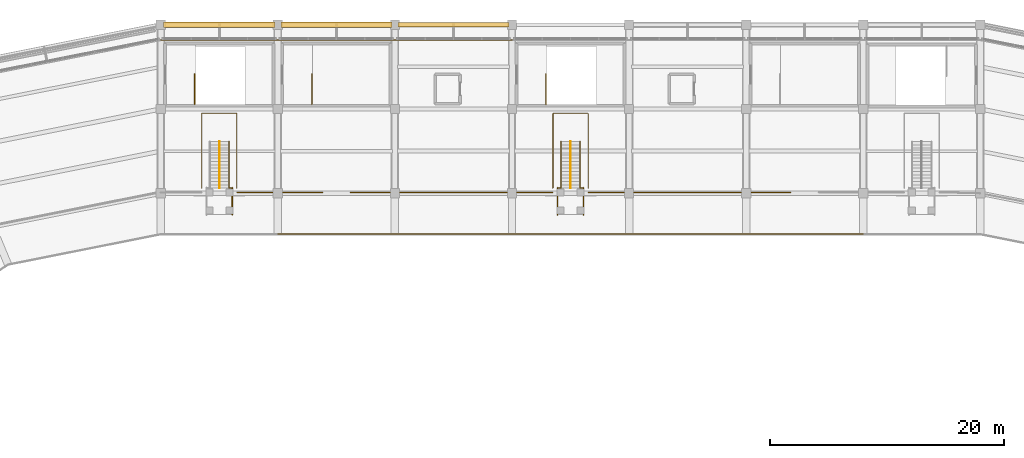
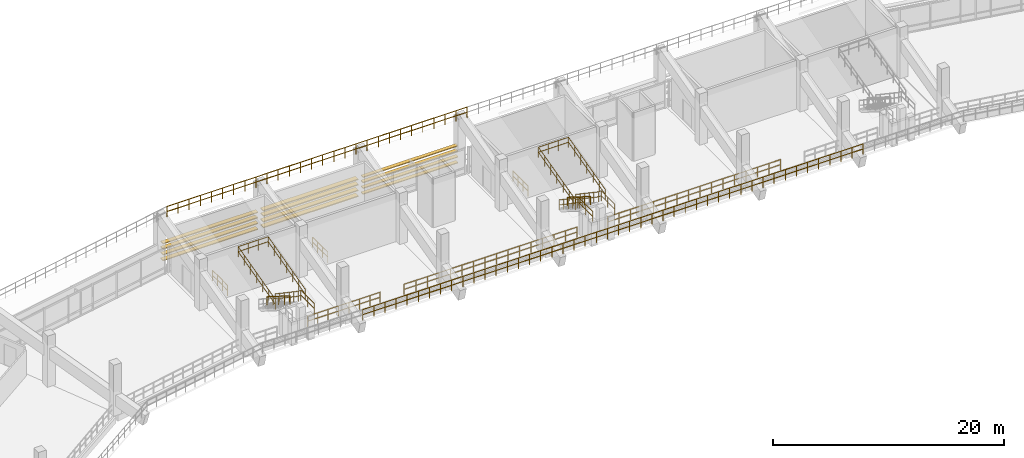
# One storey, part 94 of 96: 21 railings, 12 shading devices.
"""IFC4 building model written with IfcOpenShell, lengths in metres."""

import ifcopenshell
import ifcopenshell.guid

model = None  # the IFC model being written
_history = None  # IfcOwnerHistory: only IFC2X3 demands one
_inside = {}  # id of a spatial element -> (the spatial element, [elements in it])
_under = {}  # id of a project, library or spatial element -> (it, [spatial elements below it])
_declared = {}  # id of a project -> (the project, [libraries it declares])
_typed = {}  # id of a type object -> (the type object, [elements of that type])
_made_of = {}  # id of a material, layer set ... -> (it, [elements and type objects made of it])


def new_model(schema):
    """Start an empty IFC model of exactly this schema.

    Asked for "IFC4X3", IfcOpenShell would pick the latest addendum, in which some entities
    have other attributes; the version numbers below select the first issue.
    IFC2X3 requires an IfcOwnerHistory on every rooted entity: one is made here for all.
    """
    global model, _history
    if schema == "IFC4X3":
        model = ifcopenshell.file(schema_version=(4, 3, 0, 0))
    else:
        model = ifcopenshell.file(schema=schema)
    _inside.clear()
    _under.clear()
    _declared.clear()
    _typed.clear()
    _made_of.clear()
    _history = None
    if model.schema == "IFC2X3":
        org = make("IfcOrganization", Name="unknown")
        user = make(
            "IfcPersonAndOrganization",
            ThePerson=make("IfcPerson", FamilyName="unknown"),
            TheOrganization=org,
        )
        app = make(
            "IfcApplication",
            ApplicationDeveloper=org,
            Version="unknown",
            ApplicationFullName="unknown",
            ApplicationIdentifier="unknown",
        )
        _history = make(
            "IfcOwnerHistory",
            OwningUser=user,
            OwningApplication=app,
            ChangeAction="ADDED",
            CreationDate=0,
        )
    return model


def make(cls, **values):
    """One entity of the class cls with the attributes given. An attribute that is None is left unset."""
    return model.create_entity(
        cls, **{name: value for name, value in values.items() if value is not None}
    )


def rooted(cls, **values):
    """An entity with a GlobalId (a new one), such as an element, a storey or a relation."""
    return make(cls, GlobalId=ifcopenshell.guid.new(), OwnerHistory=_history, **values)


def si_unit(unit_type, name, prefix=None):
    """IfcSIUnit, for example si_unit("LENGTHUNIT", "METRE", prefix="MILLI")."""
    return make("IfcSIUnit", UnitType=unit_type, Prefix=prefix, Name=name)


def assignment(units):
    """IfcUnitAssignment: the units of a project."""
    return None if units is None else make("IfcUnitAssignment", Units=units)


def point(xyz):
    """IfcCartesianPoint."""
    return None if xyz is None else make("IfcCartesianPoint", Coordinates=xyz)


def direction(xyz):
    """IfcDirection."""
    return None if xyz is None else make("IfcDirection", DirectionRatios=xyz)


def frame(location, z_axis=None, x_axis=None):
    """IfcAxis2Placement3D, a coordinate frame: its origin and axes. An axis left out is left unset."""
    return make(
        "IfcAxis2Placement3D",
        Location=point(location),
        Axis=direction(z_axis),
        RefDirection=direction(x_axis),
    )


def frame_2d(location, x_axis=None):
    """IfcAxis2Placement2D, a coordinate frame in the plane: its origin and x axis."""
    return make(
        "IfcAxis2Placement2D", Location=point(location), RefDirection=direction(x_axis)
    )


def origin():
    """The frame at (0, 0, 0) with its axes left unset."""
    return frame((0.0, 0.0, 0.0))


def origin_2d():
    """The frame at (0, 0) in the plane with its x axis left unset."""
    return frame_2d((0.0, 0.0))


def place(relative_to, where):
    """IfcLocalPlacement: puts the frame where relative to a parent placement (None: the world)."""
    return make(
        "IfcLocalPlacement", PlacementRelTo=relative_to, RelativePlacement=where
    )


def context(
    kind, dimensions, precision=None, world=None, true_north=None, identifier=None
):
    """IfcGeometricRepresentationContext, for example the 3D "Model" context."""
    return make(
        "IfcGeometricRepresentationContext",
        ContextIdentifier=identifier,
        ContextType=kind,
        CoordinateSpaceDimension=dimensions,
        Precision=precision,
        WorldCoordinateSystem=world,
        TrueNorth=true_north,
    )


def subcontext(parent, identifier, kind, view, scale=None):
    """IfcGeometricRepresentationSubContext, for example "Body" below "Model"."""
    return make(
        "IfcGeometricRepresentationSubContext",
        ContextIdentifier=identifier,
        ContextType=kind,
        ParentContext=parent,
        TargetScale=scale,
        TargetView=view,
    )


def project(units=None, contexts=None):
    """IfcProject with its units and contexts."""
    return rooted(
        "IfcProject",
        Name="project",
        RepresentationContexts=contexts,
        UnitsInContext=assignment(units),
    )


def spatial(cls, under=None, at=None, **own):
    """A site, building, storey or space (cls), placed at a placement, below another one or the project."""
    s = rooted(cls, ObjectPlacement=at, **own)
    if under is not None:
        _under.setdefault(under.id(), (under, []))[1].append(s)
    return s


def profile(cls, at=None, kind="AREA", **sizes):
    """A parametric profile (cls). Its sizes go by their IFC names, for example OverallWidth=200.0."""
    return make(cls, ProfileType=kind, Position=at, **sizes)


def rectangle(**sizes):
    """IfcRectangleProfileDef."""
    return profile("IfcRectangleProfileDef", **sizes)


def circle(**sizes):
    """IfcCircleProfileDef."""
    return profile("IfcCircleProfileDef", **sizes)


def extrude(swept, where, along, depth):
    """IfcExtrudedAreaSolid: the profile swept, set in the frame where, extruded along a direction by depth."""
    return make(
        "IfcExtrudedAreaSolid",
        SweptArea=swept,
        Position=where,
        ExtrudedDirection=direction(along),
        Depth=depth,
    )


def shape(context_of_items, identifier, shape_type, items):
    """IfcShapeRepresentation: the items that make up one representation, for example the "Body"."""
    return make(
        "IfcShapeRepresentation",
        ContextOfItems=context_of_items,
        RepresentationIdentifier=identifier,
        RepresentationType=shape_type,
        Items=items,
    )


def material(Name=None, Category=None):
    """IfcMaterial."""
    return make("IfcMaterial", Name=Name, Category=Category)


def layer(
    of_material, thickness, ventilated=None, Name=None, Category=None, Priority=None
):
    """IfcMaterialLayer: one layer of a wall or slab, of a material (None: an air gap)."""
    return make(
        "IfcMaterialLayer",
        Material=of_material,
        LayerThickness=thickness,
        IsVentilated=ventilated,
        Name=Name,
        Category=Category,
        Priority=Priority,
    )


def layer_set(layers, Name=None):
    """IfcMaterialLayerSet."""
    return make("IfcMaterialLayerSet", MaterialLayers=layers, LayerSetName=Name)


def made_of(thing, what):
    """Note that an element or type object is made of a material, layer set ...; save() writes the relation."""
    if what is not None:
        _made_of.setdefault(what.id(), (what, []))[1].append(thing)
    return thing


def type_object(cls, material=None, **own):
    """A type object (cls), such as IfcWallType, which elements share."""
    return made_of(rooted(cls, **own), material)


def element(
    cls,
    number,
    at=None,
    inside=None,
    cuts=None,
    type_object=None,
    material=None,
    context=None,
    identifier="Body",
    shape_type=None,
    held_by="IfcProductDefinitionShape",
    body=None,
    shapes=None,
    **own,
):
    """One element of the class cls, such as IfcWall. Its Tag is "e" and its number.

    at: its placement. inside: the storey or other place that contains it. cuts: it is an
    opening in that element (IfcRelVoidsElement). A single representation is given by context,
    identifier, shape_type and body (its items); several are given by shapes. held_by: the class
    of the entity that holds the representations. save() writes the other relations.
    """
    e = rooted(cls, Tag="e%d" % number, ObjectPlacement=at, **own)
    if body is not None:
        shapes = [shape(context, identifier, shape_type, body)]
    if shapes is not None:
        e.Representation = make(held_by, Representations=shapes)
    if inside is not None:
        _inside.setdefault(inside.id(), (inside, []))[1].append(e)
    if cuts is not None:
        rooted(
            "IfcRelVoidsElement", RelatingBuildingElement=cuts, RelatedOpeningElement=e
        )
    if type_object is not None:
        _typed.setdefault(type_object.id(), (type_object, []))[1].append(e)
    return made_of(e, material)


def aggregate(whole, parts):
    """IfcRelAggregates: a whole, such as a stair, and the parts it consists of."""
    return rooted("IfcRelAggregates", RelatingObject=whole, RelatedObjects=parts)


def save(model, path):
    """Write the relations noted so far, then the file.

    IfcRelAggregates (storeys below a building ...), IfcRelContainedInSpatialStructure (elements
    in a storey), IfcRelDefinesByType, IfcRelAssociatesMaterial and IfcRelDeclares: one each for
    every whole, place, type object, material and project.
    """
    for whole, parts in _under.values():
        aggregate(whole, parts)
    for where, things in _inside.values():
        rooted(
            "IfcRelContainedInSpatialStructure",
            RelatedElements=things,
            RelatingStructure=where,
        )
    for kind, things in _typed.values():
        rooted("IfcRelDefinesByType", RelatedObjects=things, RelatingType=kind)
    for what, things in _made_of.values():
        rooted("IfcRelAssociatesMaterial", RelatedObjects=things, RelatingMaterial=what)
    for by, libraries in _declared.values():
        rooted("IfcRelDeclares", RelatingContext=by, RelatedDefinitions=libraries)
    model.write(path)


model = new_model("IFC4")

# Units and contexts
model_context = context("Model", 3, precision=1e-05, world=origin(), true_north=direction((0.0, 1.0)))
body_context = subcontext(model_context, "Body", "Model", "MODEL_VIEW")
ifc_project = project(units=[si_unit("LENGTHUNIT", "METRE"), si_unit("AREAUNIT", "SQUARE_METRE"), si_unit("VOLUMEUNIT", "CUBIC_METRE"), si_unit("PLANEANGLEUNIT", "RADIAN"), si_unit("MASSUNIT", "GRAM", prefix="KILO")], contexts=[model_context])

# Site, building, storey
site_placement = place(None, origin())
site = spatial("IfcSite", under=ifc_project, at=site_placement, CompositionType="ELEMENT")
building_placement = place(site_placement, origin())
building = spatial("IfcBuilding", under=site, at=building_placement, Name="Candeia Ridge Stadium", CompositionType="ELEMENT")
storey_placement = place(building_placement, frame((0.0, 0.0, 21.60009765625)))
storey = spatial("IfcBuildingStorey", under=building, at=storey_placement, Name="L04", CompositionType="ELEMENT", Elevation=21.60009765625)

# Railings
ifc_material_1 = material(Name="Galvanized Powder-Coated Steel", Category="steel")
ifc_layer_1 = layer(ifc_material_1, 0.074951171875, Name="Galvanized Powder-Coated Steel", Category="steel")
ifc_layer_set_1 = layer_set([ifc_layer_1], Name="Galvanized Powder-Coated Steel")
railing_type_1 = type_object("IfcRailingType", Name="Spectator Bowl Front Guardrail 1120", PredefinedType="GUARDRAIL", material=ifc_layer_set_1)
for number, where, name in (
    (1, (131.0, 129.1201171875, 1.64990234375), "Stand T3 front safety guardrail bay 02"),
    (2, (121.0, 129.1201171875, 1.64990234375), "Stand T3 front safety guardrail bay 03"),
    (3, (111.0, 129.1201171875, 1.64990234375), "Stand T3 front safety guardrail bay 04"),
    (4, (101.0, 129.1201171875, 1.64990234375), "Stand T3 front safety guardrail bay 05"),
    (5, (101.0, 145.679931640625, 6.0), "Stand T3 rear safety guardrail bay 05"),
    (6, (91.0, 129.1201171875, 1.64990234375), "Stand T3 front safety guardrail bay 06"),
    (7, (91.0, 145.679931640625, 6.0), "Stand T3 rear safety guardrail bay 06"),
    (8, (81.0, 145.679931640625, 6.0), "Stand T3 rear safety guardrail bay 07"),
):
    element("IfcRailing", number, at=place(storey_placement, frame(where)), inside=storey, type_object=railing_type_1, Name=name, PredefinedType="GUARDRAIL", context=body_context, shape_type="SweptSolid", body=[
        extrude(circle(Radius=0.02392578125, at=origin_2d()), frame((0.0, 0.0, 1.09619140625), z_axis=(-1.0, 0.0, 0.0), x_axis=(0.0, -1.0, 0.0)), (0.0, 0.0, 1.0), 10.0),
        extrude(circle(Radius=0.02392578125, at=origin_2d()), frame((0.0, 0.0, 0.56005859375), z_axis=(-1.0, 0.0, 0.0), x_axis=(0.0, -1.0, 0.0)), (0.0, 0.0, 1.0), 10.0),
        extrude(circle(Radius=0.02099609375, at=origin_2d()), origin(), (0.0, 0.0, 1.0), 1.072021484375),
        extrude(circle(Radius=0.02099609375, at=origin_2d()), frame((-1.111083984375, 0.0, 0.0)), (0.0, 0.0, 1.0), 1.072021484375),
        extrude(circle(Radius=0.02099609375, at=origin_2d()), frame((-2.22216796875, 0.0, 0.0)), (0.0, 0.0, 1.0), 1.072021484375),
        extrude(circle(Radius=0.02099609375, at=origin_2d()), frame((-3.333251953125, 0.0, 0.0)), (0.0, 0.0, 1.0), 1.072021484375),
        extrude(circle(Radius=0.02099609375, at=origin_2d()), frame((-4.4443359375, 0.0, 0.0)), (0.0, 0.0, 1.0), 1.072021484375),
        extrude(circle(Radius=0.02099609375, at=origin_2d()), frame((-5.5556640625, 0.0, 0.0)), (0.0, 0.0, 1.0), 1.072021484375),
        extrude(circle(Radius=0.02099609375, at=origin_2d()), frame((-6.666748046875, 0.0, 0.0)), (0.0, 0.0, 1.0), 1.072021484375),
        extrude(circle(Radius=0.02099609375, at=origin_2d()), frame((-7.77783203125, 0.0, 0.0)), (0.0, 0.0, 1.0), 1.072021484375),
        extrude(circle(Radius=0.02099609375, at=origin_2d()), frame((-8.888916015625, 0.0, 0.0)), (0.0, 0.0, 1.0), 1.072021484375),
        extrude(circle(Radius=0.02099609375, at=origin_2d()), frame((-10.0, 0.0, 0.0)), (0.0, 0.0, 1.0), 1.072021484375),
    ])
railing_1_placement = place(storey_placement, frame((124.800048828125, 132.679931640625, 0.0)))
element("IfcRailing", 9, at=railing_1_placement, inside=storey, type_object=railing_type_1, Name="Deck edge safety guardrail GR-DE-L04-0231", PredefinedType="GUARDRAIL", context=body_context, shape_type="SweptSolid", body=[
    extrude(circle(Radius=0.02392578125, at=origin_2d()), frame((0.0, 0.0, 1.09619140625), z_axis=(-1.0, 0.0, 0.0), x_axis=(0.0, -1.0, 0.0)), (0.0, 0.0, 1.0), 17.280029296875),
    extrude(circle(Radius=0.02392578125, at=origin_2d()), frame((0.0, 0.0, 0.56005859375), z_axis=(-1.0, 0.0, 0.0), x_axis=(0.0, -1.0, 0.0)), (0.0, 0.0, 1.0), 17.280029296875),
    extrude(circle(Radius=0.02099609375, at=origin_2d()), origin(), (0.0, 0.0, 1.0), 1.072021484375),
    extrude(circle(Radius=0.02099609375, at=origin_2d()), frame((-1.152099609375, 0.0, 0.0)), (0.0, 0.0, 1.0), 1.072021484375),
    extrude(circle(Radius=0.02099609375, at=origin_2d()), frame((-2.303955078125, 0.0, 0.0)), (0.0, 0.0, 1.0), 1.072021484375),
    extrude(circle(Radius=0.02099609375, at=origin_2d()), frame((-3.4560546875, 0.0, 0.0)), (0.0, 0.0, 1.0), 1.072021484375),
    extrude(circle(Radius=0.02099609375, at=origin_2d()), frame((-4.60791015625, 0.0, 0.0)), (0.0, 0.0, 1.0), 1.072021484375),
    extrude(circle(Radius=0.02099609375, at=origin_2d()), frame((-5.760009765625, 0.0, 0.0)), (0.0, 0.0, 1.0), 1.072021484375),
    extrude(circle(Radius=0.02099609375, at=origin_2d()), frame((-6.912109375, 0.0, 0.0)), (0.0, 0.0, 1.0), 1.072021484375),
    extrude(circle(Radius=0.02099609375, at=origin_2d()), frame((-8.06396484375, 0.0, 0.0)), (0.0, 0.0, 1.0), 1.072021484375),
    extrude(circle(Radius=0.02099609375, at=origin_2d()), frame((-9.216064453125, 0.0, 0.0)), (0.0, 0.0, 1.0), 1.072021484375),
    extrude(circle(Radius=0.02099609375, at=origin_2d()), frame((-10.367919921875, 0.0, 0.0)), (0.0, 0.0, 1.0), 1.072021484375),
    extrude(circle(Radius=0.02099609375, at=origin_2d()), frame((-11.52001953125, 0.0, 0.0)), (0.0, 0.0, 1.0), 1.072021484375),
    extrude(circle(Radius=0.02099609375, at=origin_2d()), frame((-12.672119140625, 0.0, 0.0)), (0.0, 0.0, 1.0), 1.072021484375),
    extrude(circle(Radius=0.02099609375, at=origin_2d()), frame((-13.823974609375, 0.0, 0.0)), (0.0, 0.0, 1.0), 1.072021484375),
    extrude(circle(Radius=0.02099609375, at=origin_2d()), frame((-14.97607421875, 0.0, 0.0)), (0.0, 0.0, 1.0), 1.072021484375),
    extrude(circle(Radius=0.02099609375, at=origin_2d()), frame((-16.1279296875, 0.0, 0.0)), (0.0, 0.0, 1.0), 1.072021484375),
    extrude(circle(Radius=0.02099609375, at=origin_2d()), frame((-17.280029296875, 0.0, 0.0)), (0.0, 0.0, 1.0), 1.072021484375),
])
railing_2_placement = place(storey_placement, frame((104.47998046875, 132.679931640625, 0.0)))
element("IfcRailing", 10, at=railing_2_placement, inside=storey, type_object=railing_type_1, Name="Deck edge safety guardrail GR-DE-L04-0232", PredefinedType="GUARDRAIL", context=body_context, shape_type="SweptSolid", body=[
    extrude(circle(Radius=0.02392578125, at=origin_2d()), frame((0.0, 0.0, 1.09619140625), z_axis=(-1.0, 0.0, 0.0), x_axis=(0.0, -1.0, 0.0)), (0.0, 0.0, 1.0), 17.280029296875),
    extrude(circle(Radius=0.02392578125, at=origin_2d()), frame((0.0, 0.0, 0.56005859375), z_axis=(-1.0, 0.0, 0.0), x_axis=(0.0, -1.0, 0.0)), (0.0, 0.0, 1.0), 17.280029296875),
    extrude(circle(Radius=0.02099609375, at=origin_2d()), origin(), (0.0, 0.0, 1.0), 1.072021484375),
    extrude(circle(Radius=0.02099609375, at=origin_2d()), frame((-1.152099609375, 0.0, 0.0)), (0.0, 0.0, 1.0), 1.072021484375),
    extrude(circle(Radius=0.02099609375, at=origin_2d()), frame((-2.303955078125, 0.0, 0.0)), (0.0, 0.0, 1.0), 1.072021484375),
    extrude(circle(Radius=0.02099609375, at=origin_2d()), frame((-3.4560546875, 0.0, 0.0)), (0.0, 0.0, 1.0), 1.072021484375),
    extrude(circle(Radius=0.02099609375, at=origin_2d()), frame((-4.60791015625, 0.0, 0.0)), (0.0, 0.0, 1.0), 1.072021484375),
    extrude(circle(Radius=0.02099609375, at=origin_2d()), frame((-5.760009765625, 0.0, 0.0)), (0.0, 0.0, 1.0), 1.072021484375),
    extrude(circle(Radius=0.02099609375, at=origin_2d()), frame((-6.912109375, 0.0, 0.0)), (0.0, 0.0, 1.0), 1.072021484375),
    extrude(circle(Radius=0.02099609375, at=origin_2d()), frame((-8.06396484375, 0.0, 0.0)), (0.0, 0.0, 1.0), 1.072021484375),
    extrude(circle(Radius=0.02099609375, at=origin_2d()), frame((-9.216064453125, 0.0, 0.0)), (0.0, 0.0, 1.0), 1.072021484375),
    extrude(circle(Radius=0.02099609375, at=origin_2d()), frame((-10.367919921875, 0.0, 0.0)), (0.0, 0.0, 1.0), 1.072021484375),
    extrude(circle(Radius=0.02099609375, at=origin_2d()), frame((-11.52001953125, 0.0, 0.0)), (0.0, 0.0, 1.0), 1.072021484375),
    extrude(circle(Radius=0.02099609375, at=origin_2d()), frame((-12.672119140625, 0.0, 0.0)), (0.0, 0.0, 1.0), 1.072021484375),
    extrude(circle(Radius=0.02099609375, at=origin_2d()), frame((-13.823974609375, 0.0, 0.0)), (0.0, 0.0, 1.0), 1.072021484375),
    extrude(circle(Radius=0.02099609375, at=origin_2d()), frame((-14.97607421875, 0.0, 0.0)), (0.0, 0.0, 1.0), 1.072021484375),
    extrude(circle(Radius=0.02099609375, at=origin_2d()), frame((-16.1279296875, 0.0, 0.0)), (0.0, 0.0, 1.0), 1.072021484375),
    extrude(circle(Radius=0.02099609375, at=origin_2d()), frame((-17.280029296875, 0.0, 0.0)), (0.0, 0.0, 1.0), 1.072021484375),
])
railing_3_placement = place(storey_placement, frame((84.800048828125, 132.679931640625, 0.0)))
element("IfcRailing", 11, at=railing_3_placement, inside=storey, type_object=railing_type_1, Name="Deck edge safety guardrail GR-DE-L04-0233", PredefinedType="GUARDRAIL", context=body_context, shape_type="SweptSolid", body=[
    extrude(circle(Radius=0.02392578125, at=origin_2d()), frame((0.0, 0.0, 1.09619140625), z_axis=(-1.0, 0.0, 0.0), x_axis=(0.0, -1.0, 0.0)), (0.0, 0.0, 1.0), 7.280029296875),
    extrude(circle(Radius=0.02392578125, at=origin_2d()), frame((0.0, 0.0, 0.56005859375), z_axis=(-1.0, 0.0, 0.0), x_axis=(0.0, -1.0, 0.0)), (0.0, 0.0, 1.0), 7.280029296875),
    extrude(circle(Radius=0.02099609375, at=origin_2d()), origin(), (0.0, 0.0, 1.0), 1.072021484375),
    extrude(circle(Radius=0.02099609375, at=origin_2d()), frame((-1.0400390625, 0.0, 0.0)), (0.0, 0.0, 1.0), 1.072021484375),
    extrude(circle(Radius=0.02099609375, at=origin_2d()), frame((-2.080078125, 0.0, 0.0)), (0.0, 0.0, 1.0), 1.072021484375),
    extrude(circle(Radius=0.02099609375, at=origin_2d()), frame((-3.1201171875, 0.0, 0.0)), (0.0, 0.0, 1.0), 1.072021484375),
    extrude(circle(Radius=0.02099609375, at=origin_2d()), frame((-4.159912109375, 0.0, 0.0)), (0.0, 0.0, 1.0), 1.072021484375),
    extrude(circle(Radius=0.02099609375, at=origin_2d()), frame((-5.199951171875, 0.0, 0.0)), (0.0, 0.0, 1.0), 1.072021484375),
    extrude(circle(Radius=0.02099609375, at=origin_2d()), frame((-6.239990234375, 0.0, 0.0)), (0.0, 0.0, 1.0), 1.072021484375),
    extrude(circle(Radius=0.02099609375, at=origin_2d()), frame((-7.280029296875, 0.0, 0.0)), (0.0, 0.0, 1.0), 1.072021484375),
])
ifc_material_2 = material(Name="Brushed Stainless Steel", Category="steel")
ifc_layer_2 = layer(ifc_material_2, 0.048095703125, Name="Brushed Stainless Steel", Category="steel")
ifc_layer_set_2 = layer_set([ifc_layer_2], Name="Brushed Stainless Steel")
railing_type_2 = type_object("IfcRailingType", Name="Stair Wall & Flight Handrail 900", PredefinedType="HANDRAIL", material=ifc_layer_set_2)
for number, where, name in (
    (12, (106.0, 137.02197265625, 0.179443359375), "Vomitory stair handrail VS26"),
    (13, (76.0, 137.02197265625, 0.179443359375), "Vomitory stair handrail VS27"),
):
    element("IfcRailing", number, at=place(storey_placement, frame(where)), inside=storey, type_object=railing_type_2, Name=name, PredefinedType="HANDRAIL", context=body_context, shape_type="SweptSolid", body=[
        extrude(circle(Radius=0.02392578125, at=origin_2d()), frame((0.0, 0.0, 0.8759765625), z_axis=(0.0, -0.846023572205, 0.533145491656), x_axis=(1.0, 0.0, 0.0)), (0.0, 0.0, 1.0), 4.716064453125),
        extrude(circle(Radius=0.02099609375, at=origin_2d()), origin(), (0.0, 0.0, 1.0), 0.851806640625),
        extrude(circle(Radius=0.02099609375, at=origin_2d()), frame((0.0, -0.99755859375, 0.628662109375)), (0.0, 0.0, 1.0), 0.851806640625),
        extrude(circle(Radius=0.02099609375, at=origin_2d()), frame((0.0, -1.9951171875, 1.25732421875)), (0.0, 0.0, 1.0), 0.851806640625),
        extrude(circle(Radius=0.02099609375, at=origin_2d()), frame((0.0, -2.992431640625, 1.8857421875)), (0.0, 0.0, 1.0), 0.851806640625),
        extrude(circle(Radius=0.02099609375, at=origin_2d()), frame((0.0, -3.989990234375, 2.514404296875)), (0.0, 0.0, 1.0), 0.851806640625),
    ])
ifc_layer_3 = layer(ifc_material_1, 0.06005859375, Name="Galvanized Powder-Coated Steel", Category="steel")
ifc_layer_set_3 = layer_set([ifc_layer_3], Name="Galvanized Powder-Coated Steel")
railing_type_3 = type_object("IfcRailingType", Name="Stair Well Guardrail 1100", PredefinedType="GUARDRAIL", material=ifc_layer_set_3)
for number, where, name in (
    (14, (73.89990234375, 140.199951171875, 0.0), "L04 ST01 top well guard 1"),
    (15, (83.89990234375, 140.199951171875, 0.0), "L04 ST09 top well guard 1"),
    (16, (103.89990234375, 140.199951171875, 0.0), "L04 ST17 top well guard 1"),
):
    element("IfcRailing", number, at=place(storey_placement, frame(where)), inside=storey, type_object=railing_type_3, Name=name, PredefinedType="GUARDRAIL", context=body_context, shape_type="SweptSolid", body=[
        extrude(circle(Radius=0.02392578125, at=origin_2d()), frame((0.0, 0.0, 1.076171875), z_axis=(0.0, 1.0, 0.0), x_axis=(-1.0, 0.0, 0.0)), (0.0, 0.0, 1.0), 2.60009765625),
        extrude(circle(Radius=0.02392578125, at=origin_2d()), frame((0.0, 0.0, 0.550048828125), z_axis=(0.0, 1.0, 0.0), x_axis=(-1.0, 0.0, 0.0)), (0.0, 0.0, 1.0), 2.60009765625),
        extrude(circle(Radius=0.02099609375, at=origin_2d()), origin(), (0.0, 0.0, 1.0), 1.052001953125),
        extrude(circle(Radius=0.02099609375, at=origin_2d()), frame((0.0, 0.86669921875, 0.0)), (0.0, 0.0, 1.0), 1.052001953125),
        extrude(circle(Radius=0.02099609375, at=origin_2d()), frame((0.0, 1.7333984375, 0.0)), (0.0, 0.0, 1.0), 1.052001953125),
        extrude(circle(Radius=0.02099609375, at=origin_2d()), frame((0.0, 2.60009765625, 0.0)), (0.0, 0.0, 1.0), 1.052001953125),
    ])
ifc_layer_4 = layer(ifc_material_1, 0.070068359375, Name="Galvanized Powder-Coated Steel", Category="steel")
ifc_layer_set_4 = layer_set([ifc_layer_4], Name="Galvanized Powder-Coated Steel")
railing_type_4 = type_object("IfcRailingType", Name="Vomitory Portal Guardrail 1100", PredefinedType="GUARDRAIL", material=ifc_layer_set_4)
railing_4_placement = place(storey_placement, frame((107.5, 133.031982421875, 2.69384765625)))
element("IfcRailing", 17, at=railing_4_placement, inside=storey, type_object=railing_type_4, Name="Vomitory portal guardrail VS26", PredefinedType="GUARDRAIL", context=body_context, shape_type="SweptSolid", body=[
    extrude(circle(Radius=0.02392578125, at=origin_2d()), frame((0.0, 0.0, 1.076171875), z_axis=(0.0, 0.9680721346, 0.250671781842), x_axis=(-1.0, 0.0, 0.0)), (0.0, 0.0, 1.0), 6.594482421875),
    extrude(circle(Radius=0.02392578125, at=origin_2d()), frame((0.0, 0.0, 0.550048828125), z_axis=(0.0, 0.9680721346, 0.250671781842), x_axis=(-1.0, 0.0, 0.0)), (0.0, 0.0, 1.0), 6.594482421875),
    extrude(circle(Radius=0.02392578125, at=origin_2d()), frame((0.0, 6.384033203125, 2.72900390625), z_axis=(-1.0, 0.0, 0.0), x_axis=(0.0, -1.0, 0.0)), (0.0, 0.0, 1.0), 3.0),
    extrude(circle(Radius=0.02392578125, at=origin_2d()), frame((0.0, 6.384033203125, 2.203125), z_axis=(-1.0, 0.0, 0.0), x_axis=(0.0, -1.0, 0.0)), (0.0, 0.0, 1.0), 3.0),
    extrude(circle(Radius=0.02392578125, at=origin_2d()), frame((-3.0, 6.384033203125, 2.72900390625), z_axis=(0.0, -0.9680721346, -0.250671781842), x_axis=(1.0, 0.0, 0.0)), (0.0, 0.0, 1.0), 6.594482421875),
    extrude(circle(Radius=0.02392578125, at=origin_2d()), frame((-3.0, 6.384033203125, 2.203125), z_axis=(0.0, -0.9680721346, -0.250671781842), x_axis=(1.0, 0.0, 0.0)), (0.0, 0.0, 1.0), 6.594482421875),
    extrude(circle(Radius=0.02099609375, at=origin_2d()), origin(), (0.0, 0.0, 1.0), 1.052001953125),
    extrude(circle(Radius=0.02099609375, at=origin_2d()), frame((0.0, 1.06396484375, 0.275390625)), (0.0, 0.0, 1.0), 1.052001953125),
    extrude(circle(Radius=0.02099609375, at=origin_2d()), frame((0.0, 2.1279296875, 0.551025390625)), (0.0, 0.0, 1.0), 1.052001953125),
    extrude(circle(Radius=0.02099609375, at=origin_2d()), frame((0.0, 3.19189453125, 0.82666015625)), (0.0, 0.0, 1.0), 1.052001953125),
    extrude(circle(Radius=0.02099609375, at=origin_2d()), frame((0.0, 4.256103515625, 1.10205078125)), (0.0, 0.0, 1.0), 1.052001953125),
    extrude(circle(Radius=0.02099609375, at=origin_2d()), frame((0.0, 5.320068359375, 1.37744140625)), (0.0, 0.0, 1.0), 1.052001953125),
    extrude(circle(Radius=0.02099609375, at=origin_2d()), frame((0.0, 6.384033203125, 1.653076171875)), (0.0, 0.0, 1.0), 1.052001953125),
    extrude(circle(Radius=0.02099609375, at=origin_2d()), frame((-1.0, 6.384033203125, 1.653076171875)), (0.0, 0.0, 1.0), 1.052001953125),
    extrude(circle(Radius=0.02099609375, at=origin_2d()), frame((-2.0, 6.384033203125, 1.653076171875)), (0.0, 0.0, 1.0), 1.052001953125),
    extrude(circle(Radius=0.02099609375, at=origin_2d()), frame((-3.0, 6.384033203125, 1.653076171875)), (0.0, 0.0, 1.0), 1.052001953125),
    extrude(circle(Radius=0.02099609375, at=origin_2d()), frame((-3.0, 5.320068359375, 1.37744140625)), (0.0, 0.0, 1.0), 1.052001953125),
    extrude(circle(Radius=0.02099609375, at=origin_2d()), frame((-3.0, 4.256103515625, 1.10205078125)), (0.0, 0.0, 1.0), 1.052001953125),
    extrude(circle(Radius=0.02099609375, at=origin_2d()), frame((-3.0, 3.19189453125, 0.82666015625)), (0.0, 0.0, 1.0), 1.052001953125),
    extrude(circle(Radius=0.02099609375, at=origin_2d()), frame((-3.0, 2.1279296875, 0.551025390625)), (0.0, 0.0, 1.0), 1.052001953125),
    extrude(circle(Radius=0.02099609375, at=origin_2d()), frame((-3.0, 1.06396484375, 0.275390625)), (0.0, 0.0, 1.0), 1.052001953125),
    extrude(circle(Radius=0.02099609375, at=origin_2d()), frame((-3.0, 0.0, 0.0)), (0.0, 0.0, 1.0), 1.052001953125),
])
railing_5_placement = place(storey_placement, frame((106.820068359375, 137.02197265625, 0.0)))
element("IfcRailing", 18, at=railing_5_placement, inside=storey, type_object=railing_type_4, Name="Vomitory stair & landing side guardrail VS26-L", PredefinedType="GUARDRAIL", context=body_context, shape_type="SweptSolid", body=[
    extrude(circle(Radius=0.02392578125, at=origin_2d()), frame((0.0, 0.0, 1.076171875), z_axis=(0.0, -0.828790466984, 0.559559078058), x_axis=(1.0, 0.0, 0.0)), (0.0, 0.0, 1.0), 4.814208984375),
    extrude(circle(Radius=0.02392578125, at=origin_2d()), frame((0.0, 0.0, 0.550048828125), z_axis=(0.0, -0.828790466984, 0.559559078058), x_axis=(1.0, 0.0, 0.0)), (0.0, 0.0, 1.0), 4.814208984375),
    extrude(circle(Radius=0.02392578125, at=origin_2d()), frame((0.0, -3.989990234375, 3.77001953125), z_axis=(0.989932225045, 0.141542183877, 0.0), x_axis=(-0.141542183877, 0.989932225045, 0.0)), (0.0, 0.0, 1.0), 0.282958984375),
    extrude(circle(Radius=0.02392578125, at=origin_2d()), frame((0.0, -3.989990234375, 3.243896484375), z_axis=(0.989932225045, 0.141542183877, 0.0), x_axis=(-0.141542183877, 0.989932225045, 0.0)), (0.0, 0.0, 1.0), 0.282958984375),
    extrude(circle(Radius=0.02392578125, at=origin_2d()), frame((0.280029296875, -3.949951171875, 3.77001953125), z_axis=(0.0, -1.0, 0.0), x_axis=(1.0, 0.0, 0.0)), (0.0, 0.0, 1.0), 2.320068359375),
    extrude(circle(Radius=0.02392578125, at=origin_2d()), frame((0.280029296875, -3.949951171875, 3.243896484375), z_axis=(0.0, -1.0, 0.0), x_axis=(1.0, 0.0, 0.0)), (0.0, 0.0, 1.0), 2.320068359375),
    extrude(circle(Radius=0.02099609375, at=origin_2d()), origin(), (0.0, 0.0, 1.0), 1.052001953125),
    extrude(circle(Radius=0.02099609375, at=origin_2d()), frame((0.0, -0.798095703125, 0.538818359375)), (0.0, 0.0, 1.0), 1.052001953125),
    extrude(circle(Radius=0.02099609375, at=origin_2d()), frame((0.0, -1.595947265625, 1.07763671875)), (0.0, 0.0, 1.0), 1.052001953125),
    extrude(circle(Radius=0.02099609375, at=origin_2d()), frame((0.0, -2.39404296875, 1.6162109375)), (0.0, 0.0, 1.0), 1.052001953125),
    extrude(circle(Radius=0.02099609375, at=origin_2d()), frame((0.0, -3.19189453125, 2.155029296875)), (0.0, 0.0, 1.0), 1.052001953125),
    extrude(circle(Radius=0.02099609375, at=origin_2d()), frame((0.0, -3.989990234375, 2.69384765625)), (0.0, 0.0, 1.0), 1.052001953125),
    extrude(circle(Radius=0.02099609375, at=origin_2d()), frame((0.280029296875, -3.949951171875, 2.69384765625)), (0.0, 0.0, 1.0), 1.052001953125),
    extrude(circle(Radius=0.02099609375, at=origin_2d()), frame((0.280029296875, -5.10986328125, 2.69384765625)), (0.0, 0.0, 1.0), 1.052001953125),
    extrude(circle(Radius=0.02099609375, at=origin_2d()), frame((0.280029296875, -6.27001953125, 2.69384765625)), (0.0, 0.0, 1.0), 1.052001953125),
])
railing_6_placement = place(storey_placement, frame((105.179931640625, 137.02197265625, 0.0)))
element("IfcRailing", 19, at=railing_6_placement, inside=storey, type_object=railing_type_4, Name="Vomitory stair & landing side guardrail VS26-R", PredefinedType="GUARDRAIL", context=body_context, shape_type="SweptSolid", body=[
    extrude(circle(Radius=0.02392578125, at=origin_2d()), frame((0.0, 0.0, 1.076171875), z_axis=(0.0, -0.828790466984, 0.559559078058), x_axis=(1.0, 0.0, 0.0)), (0.0, 0.0, 1.0), 4.814208984375),
    extrude(circle(Radius=0.02392578125, at=origin_2d()), frame((0.0, 0.0, 0.550048828125), z_axis=(0.0, -0.828790466984, 0.559559078058), x_axis=(1.0, 0.0, 0.0)), (0.0, 0.0, 1.0), 4.814208984375),
    extrude(circle(Radius=0.02392578125, at=origin_2d()), frame((0.0, -3.989990234375, 3.77001953125), z_axis=(-0.989932225045, 0.141542183877, 0.0), x_axis=(-0.141542183877, -0.989932225045, 0.0)), (0.0, 0.0, 1.0), 0.282958984375),
    extrude(circle(Radius=0.02392578125, at=origin_2d()), frame((0.0, -3.989990234375, 3.243896484375), z_axis=(-0.989932225045, 0.141542183877, 0.0), x_axis=(-0.141542183877, -0.989932225045, 0.0)), (0.0, 0.0, 1.0), 0.282958984375),
    extrude(circle(Radius=0.02392578125, at=origin_2d()), frame((-0.280029296875, -3.949951171875, 3.77001953125), z_axis=(0.0, -1.0, 0.0), x_axis=(1.0, 0.0, 0.0)), (0.0, 0.0, 1.0), 2.320068359375),
    extrude(circle(Radius=0.02392578125, at=origin_2d()), frame((-0.280029296875, -3.949951171875, 3.243896484375), z_axis=(0.0, -1.0, 0.0), x_axis=(1.0, 0.0, 0.0)), (0.0, 0.0, 1.0), 2.320068359375),
    extrude(circle(Radius=0.02099609375, at=origin_2d()), origin(), (0.0, 0.0, 1.0), 1.052001953125),
    extrude(circle(Radius=0.02099609375, at=origin_2d()), frame((0.0, -0.798095703125, 0.538818359375)), (0.0, 0.0, 1.0), 1.052001953125),
    extrude(circle(Radius=0.02099609375, at=origin_2d()), frame((0.0, -1.595947265625, 1.07763671875)), (0.0, 0.0, 1.0), 1.052001953125),
    extrude(circle(Radius=0.02099609375, at=origin_2d()), frame((0.0, -2.39404296875, 1.6162109375)), (0.0, 0.0, 1.0), 1.052001953125),
    extrude(circle(Radius=0.02099609375, at=origin_2d()), frame((0.0, -3.19189453125, 2.155029296875)), (0.0, 0.0, 1.0), 1.052001953125),
    extrude(circle(Radius=0.02099609375, at=origin_2d()), frame((0.0, -3.989990234375, 2.69384765625)), (0.0, 0.0, 1.0), 1.052001953125),
    extrude(circle(Radius=0.02099609375, at=origin_2d()), frame((-0.280029296875, -3.949951171875, 2.69384765625)), (0.0, 0.0, 1.0), 1.052001953125),
    extrude(circle(Radius=0.02099609375, at=origin_2d()), frame((-0.280029296875, -5.10986328125, 2.69384765625)), (0.0, 0.0, 1.0), 1.052001953125),
    extrude(circle(Radius=0.02099609375, at=origin_2d()), frame((-0.280029296875, -6.27001953125, 2.69384765625)), (0.0, 0.0, 1.0), 1.052001953125),
])
railing_7_placement = place(storey_placement, frame((77.5, 133.031982421875, 2.69384765625)))
element("IfcRailing", 20, at=railing_7_placement, inside=storey, type_object=railing_type_4, Name="Vomitory portal guardrail VS27", PredefinedType="GUARDRAIL", context=body_context, shape_type="SweptSolid", body=[
    extrude(circle(Radius=0.02392578125, at=origin_2d()), frame((0.0, 0.0, 1.076171875), z_axis=(0.0, 0.9680721346, 0.250671781842), x_axis=(-1.0, 0.0, 0.0)), (0.0, 0.0, 1.0), 6.594482421875),
    extrude(circle(Radius=0.02392578125, at=origin_2d()), frame((0.0, 0.0, 0.550048828125), z_axis=(0.0, 0.9680721346, 0.250671781842), x_axis=(-1.0, 0.0, 0.0)), (0.0, 0.0, 1.0), 6.594482421875),
    extrude(circle(Radius=0.02392578125, at=origin_2d()), frame((0.0, 6.384033203125, 2.72900390625), z_axis=(-1.0, 0.0, 0.0), x_axis=(0.0, -1.0, 0.0)), (0.0, 0.0, 1.0), 3.0),
    extrude(circle(Radius=0.02392578125, at=origin_2d()), frame((0.0, 6.384033203125, 2.203125), z_axis=(-1.0, 0.0, 0.0), x_axis=(0.0, -1.0, 0.0)), (0.0, 0.0, 1.0), 3.0),
    extrude(circle(Radius=0.02392578125, at=origin_2d()), frame((-3.0, 6.384033203125, 2.72900390625), z_axis=(0.0, -0.9680721346, -0.250671781842), x_axis=(1.0, 0.0, 0.0)), (0.0, 0.0, 1.0), 6.594482421875),
    extrude(circle(Radius=0.02392578125, at=origin_2d()), frame((-3.0, 6.384033203125, 2.203125), z_axis=(0.0, -0.9680721346, -0.250671781842), x_axis=(1.0, 0.0, 0.0)), (0.0, 0.0, 1.0), 6.594482421875),
    extrude(circle(Radius=0.02099609375, at=origin_2d()), origin(), (0.0, 0.0, 1.0), 1.052001953125),
    extrude(circle(Radius=0.02099609375, at=origin_2d()), frame((0.0, 1.06396484375, 0.275390625)), (0.0, 0.0, 1.0), 1.052001953125),
    extrude(circle(Radius=0.02099609375, at=origin_2d()), frame((0.0, 2.1279296875, 0.551025390625)), (0.0, 0.0, 1.0), 1.052001953125),
    extrude(circle(Radius=0.02099609375, at=origin_2d()), frame((0.0, 3.19189453125, 0.82666015625)), (0.0, 0.0, 1.0), 1.052001953125),
    extrude(circle(Radius=0.02099609375, at=origin_2d()), frame((0.0, 4.256103515625, 1.10205078125)), (0.0, 0.0, 1.0), 1.052001953125),
    extrude(circle(Radius=0.02099609375, at=origin_2d()), frame((0.0, 5.320068359375, 1.37744140625)), (0.0, 0.0, 1.0), 1.052001953125),
    extrude(circle(Radius=0.02099609375, at=origin_2d()), frame((0.0, 6.384033203125, 1.653076171875)), (0.0, 0.0, 1.0), 1.052001953125),
    extrude(circle(Radius=0.02099609375, at=origin_2d()), frame((-1.0, 6.384033203125, 1.653076171875)), (0.0, 0.0, 1.0), 1.052001953125),
    extrude(circle(Radius=0.02099609375, at=origin_2d()), frame((-2.0, 6.384033203125, 1.653076171875)), (0.0, 0.0, 1.0), 1.052001953125),
    extrude(circle(Radius=0.02099609375, at=origin_2d()), frame((-3.0, 6.384033203125, 1.653076171875)), (0.0, 0.0, 1.0), 1.052001953125),
    extrude(circle(Radius=0.02099609375, at=origin_2d()), frame((-3.0, 5.320068359375, 1.37744140625)), (0.0, 0.0, 1.0), 1.052001953125),
    extrude(circle(Radius=0.02099609375, at=origin_2d()), frame((-3.0, 4.256103515625, 1.10205078125)), (0.0, 0.0, 1.0), 1.052001953125),
    extrude(circle(Radius=0.02099609375, at=origin_2d()), frame((-3.0, 3.19189453125, 0.82666015625)), (0.0, 0.0, 1.0), 1.052001953125),
    extrude(circle(Radius=0.02099609375, at=origin_2d()), frame((-3.0, 2.1279296875, 0.551025390625)), (0.0, 0.0, 1.0), 1.052001953125),
    extrude(circle(Radius=0.02099609375, at=origin_2d()), frame((-3.0, 1.06396484375, 0.275390625)), (0.0, 0.0, 1.0), 1.052001953125),
    extrude(circle(Radius=0.02099609375, at=origin_2d()), frame((-3.0, 0.0, 0.0)), (0.0, 0.0, 1.0), 1.052001953125),
])
railing_8_placement = place(storey_placement, frame((76.820068359375, 137.02197265625, 0.0)))
element("IfcRailing", 21, at=railing_8_placement, inside=storey, type_object=railing_type_4, Name="Vomitory stair & landing side guardrail VS27-L", PredefinedType="GUARDRAIL", context=body_context, shape_type="SweptSolid", body=[
    extrude(circle(Radius=0.02392578125, at=origin_2d()), frame((0.0, 0.0, 1.076171875), z_axis=(0.0, -0.828790466984, 0.559559078058), x_axis=(1.0, 0.0, 0.0)), (0.0, 0.0, 1.0), 4.814208984375),
    extrude(circle(Radius=0.02392578125, at=origin_2d()), frame((0.0, 0.0, 0.550048828125), z_axis=(0.0, -0.828790466984, 0.559559078058), x_axis=(1.0, 0.0, 0.0)), (0.0, 0.0, 1.0), 4.814208984375),
    extrude(circle(Radius=0.02392578125, at=origin_2d()), frame((0.0, -3.989990234375, 3.77001953125), z_axis=(0.989932225045, 0.141542183877, 0.0), x_axis=(-0.141542183877, 0.989932225045, 0.0)), (0.0, 0.0, 1.0), 0.282958984375),
    extrude(circle(Radius=0.02392578125, at=origin_2d()), frame((0.0, -3.989990234375, 3.243896484375), z_axis=(0.989932225045, 0.141542183877, 0.0), x_axis=(-0.141542183877, 0.989932225045, 0.0)), (0.0, 0.0, 1.0), 0.282958984375),
    extrude(circle(Radius=0.02392578125, at=origin_2d()), frame((0.280029296875, -3.949951171875, 3.77001953125), z_axis=(0.0, -1.0, 0.0), x_axis=(1.0, 0.0, 0.0)), (0.0, 0.0, 1.0), 2.320068359375),
    extrude(circle(Radius=0.02392578125, at=origin_2d()), frame((0.280029296875, -3.949951171875, 3.243896484375), z_axis=(0.0, -1.0, 0.0), x_axis=(1.0, 0.0, 0.0)), (0.0, 0.0, 1.0), 2.320068359375),
    extrude(circle(Radius=0.02099609375, at=origin_2d()), origin(), (0.0, 0.0, 1.0), 1.052001953125),
    extrude(circle(Radius=0.02099609375, at=origin_2d()), frame((0.0, -0.798095703125, 0.538818359375)), (0.0, 0.0, 1.0), 1.052001953125),
    extrude(circle(Radius=0.02099609375, at=origin_2d()), frame((0.0, -1.595947265625, 1.07763671875)), (0.0, 0.0, 1.0), 1.052001953125),
    extrude(circle(Radius=0.02099609375, at=origin_2d()), frame((0.0, -2.39404296875, 1.6162109375)), (0.0, 0.0, 1.0), 1.052001953125),
    extrude(circle(Radius=0.02099609375, at=origin_2d()), frame((0.0, -3.19189453125, 2.155029296875)), (0.0, 0.0, 1.0), 1.052001953125),
    extrude(circle(Radius=0.02099609375, at=origin_2d()), frame((0.0, -3.989990234375, 2.69384765625)), (0.0, 0.0, 1.0), 1.052001953125),
    extrude(circle(Radius=0.02099609375, at=origin_2d()), frame((0.280029296875, -3.949951171875, 2.69384765625)), (0.0, 0.0, 1.0), 1.052001953125),
    extrude(circle(Radius=0.02099609375, at=origin_2d()), frame((0.280029296875, -5.10986328125, 2.69384765625)), (0.0, 0.0, 1.0), 1.052001953125),
    extrude(circle(Radius=0.02099609375, at=origin_2d()), frame((0.280029296875, -6.27001953125, 2.69384765625)), (0.0, 0.0, 1.0), 1.052001953125),
])

# Shading devices
ifc_material_3 = material(Name="Aluminium Anodized Warm Bronze", Category="aluminium")
shading_device_type_1 = type_object("IfcShadingDeviceType", Name="Weathered Bronze Horizontal Solar Rib 380x85", PredefinedType="JALOUSIE", material=ifc_material_3)
for number, where, z_axis, x_axis, name in (
    (22, (96.0, 147.0, 0.5673828125), (0.0, 0.0, 1.0), (-1.0, 0.0, 0.0), "Weathered bronze horizontal solar rib L04 bay 05-1"),
    (23, (96.0, 147.0, 1.17724609375), (0.0, 0.0, 1.0), (-1.0, 0.0, 0.0), "Weathered bronze horizontal solar rib L04 bay 05-2"),
    (24, (96.0, 147.0, 1.787109375), (0.0, 0.0, 1.0), (-1.0, 0.0, 0.0), "Weathered bronze horizontal solar rib L04 bay 05-3"),
    (25, (96.0, 147.0, 2.341552734375), (0.0, 0.0, 1.0), (-1.0, 0.0, 0.0), "Weathered bronze horizontal solar rib L04 bay 05-4"),
):
    element("IfcShadingDevice", number, at=place(storey_placement, frame(where, z_axis=z_axis, x_axis=x_axis)), inside=storey, type_object=shading_device_type_1, Name=name, PredefinedType="JALOUSIE", context=body_context, shape_type="SweptSolid", body=[
        extrude(rectangle(XDim=9.5, YDim=0.3798828125, at=origin_2d()), origin(), (0.0, 0.0, 1.0), 0.0849609375),
    ])
shading_device_type_2 = type_object("IfcShadingDeviceType", Name="Weathered Bronze Horizontal Solar Rib 440x95", PredefinedType="JALOUSIE", material=ifc_material_3)
for number, where, z_axis, x_axis, name in (
    (26, (76.0, 147.0, 0.5625), (0.0, 0.0, 1.0), (-1.0, 0.0, 0.0), "Weathered bronze horizontal solar rib L04 bay 07-1"),
    (27, (76.0, 147.0, 1.17236328125), (0.0, 0.0, 1.0), (-1.0, 0.0, 0.0), "Weathered bronze horizontal solar rib L04 bay 07-2"),
    (28, (76.0, 147.0, 1.7822265625), (0.0, 0.0, 1.0), (-1.0, 0.0, 0.0), "Weathered bronze horizontal solar rib L04 bay 07-3"),
    (29, (76.0, 147.0, 2.33642578125), (0.0, 0.0, 1.0), (-1.0, 0.0, 0.0), "Weathered bronze horizontal solar rib L04 bay 07-4"),
):
    element("IfcShadingDevice", number, at=place(storey_placement, frame(where, z_axis=z_axis, x_axis=x_axis)), inside=storey, type_object=shading_device_type_2, Name=name, PredefinedType="JALOUSIE", context=body_context, shape_type="SweptSolid", body=[
        extrude(rectangle(XDim=9.5, YDim=0.43994140625, at=origin_2d()), origin(), (0.0, 0.0, 1.0), 0.094970703125),
    ])
shading_device_type_3 = type_object("IfcShadingDeviceType", Name="Weathered Bronze Horizontal Solar Rib 500x105", PredefinedType="JALOUSIE", material=ifc_material_3)
for number, where, z_axis, x_axis, name in (
    (30, (86.0, 147.0, 0.557373046875), (0.0, 0.0, 1.0), (-1.0, 0.0, 0.0), "Weathered bronze horizontal solar rib L04 bay 06-1"),
    (31, (86.0, 147.0, 1.167236328125), (0.0, 0.0, 1.0), (-1.0, 0.0, 0.0), "Weathered bronze horizontal solar rib L04 bay 06-2"),
    (32, (86.0, 147.0, 1.777099609375), (0.0, 0.0, 1.0), (-1.0, 0.0, 0.0), "Weathered bronze horizontal solar rib L04 bay 06-3"),
    (33, (86.0, 147.0, 2.33154296875), (0.0, 0.0, 1.0), (-1.0, 0.0, 0.0), "Weathered bronze horizontal solar rib L04 bay 06-4"),
):
    element("IfcShadingDevice", number, at=place(storey_placement, frame(where, z_axis=z_axis, x_axis=x_axis)), inside=storey, type_object=shading_device_type_3, Name=name, PredefinedType="JALOUSIE", context=body_context, shape_type="SweptSolid", body=[
        extrude(rectangle(XDim=9.5, YDim=0.5, at=origin_2d()), origin(), (0.0, 0.0, 1.0), 0.10498046875),
    ])

save(model, "model.ifc")
